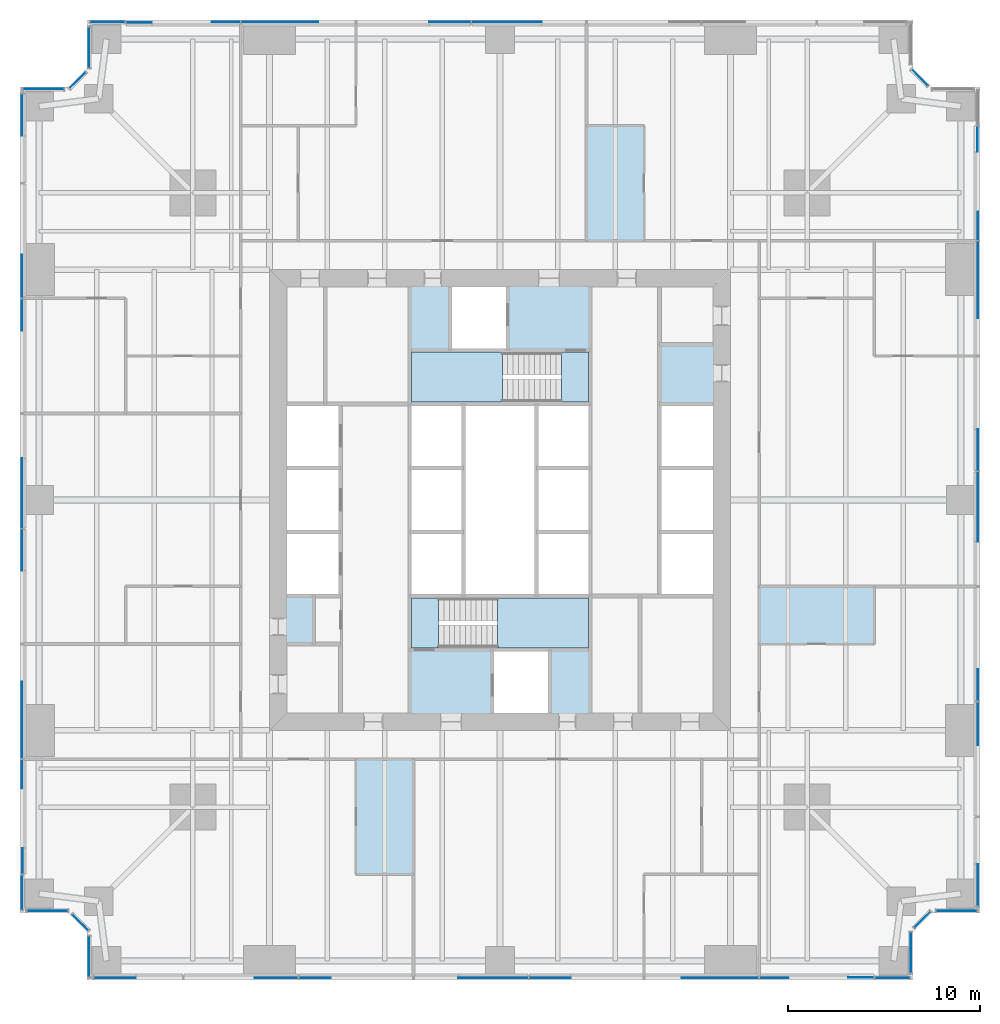
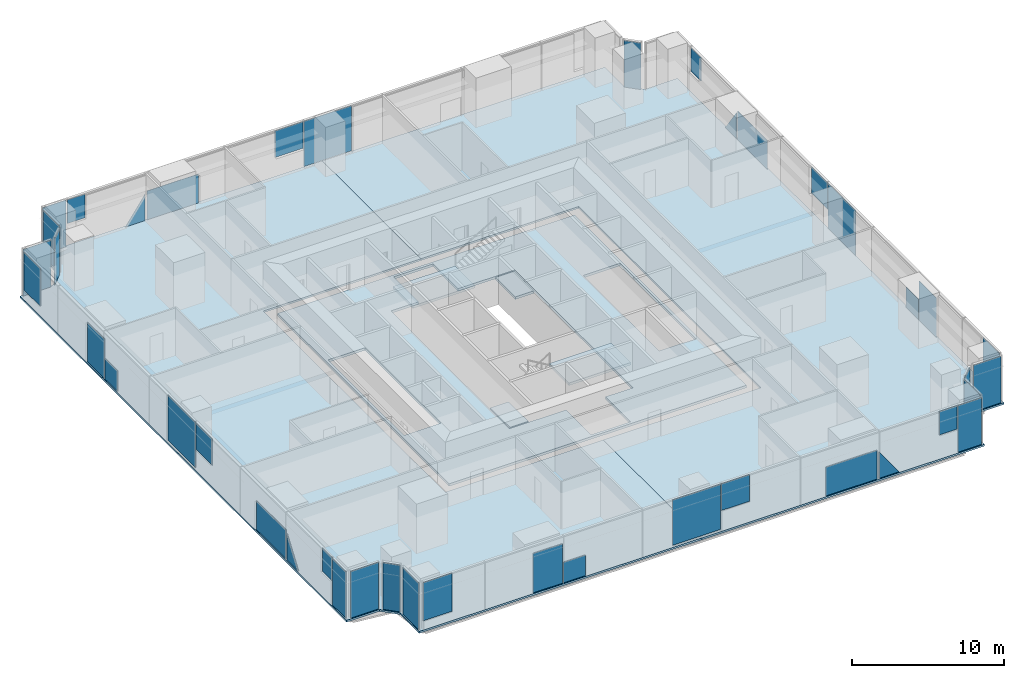
# One storey, part 8 of 13: 42 plates, 7 slabs, 16 elements without a shape of their own.
"""IFC4 building model written with IfcOpenShell, lengths in metres."""

import ifcopenshell
import ifcopenshell.guid

model = None  # the IFC model being written
_history = None  # IfcOwnerHistory: only IFC2X3 demands one
_inside = {}  # id of a spatial element -> (the spatial element, [elements in it])
_under = {}  # id of a project, library or spatial element -> (it, [spatial elements below it])
_declared = {}  # id of a project -> (the project, [libraries it declares])
_typed = {}  # id of a type object -> (the type object, [elements of that type])
_made_of = {}  # id of a material, layer set ... -> (it, [elements and type objects made of it])


def new_model(schema):
    """Start an empty IFC model of exactly this schema.

    Asked for "IFC4X3", IfcOpenShell would pick the latest addendum, in which some entities
    have other attributes; the version numbers below select the first issue.
    IFC2X3 requires an IfcOwnerHistory on every rooted entity: one is made here for all.
    """
    global model, _history
    if schema == "IFC4X3":
        model = ifcopenshell.file(schema_version=(4, 3, 0, 0))
    else:
        model = ifcopenshell.file(schema=schema)
    _inside.clear()
    _under.clear()
    _declared.clear()
    _typed.clear()
    _made_of.clear()
    _history = None
    if model.schema == "IFC2X3":
        org = make("IfcOrganization", Name="unknown")
        user = make(
            "IfcPersonAndOrganization",
            ThePerson=make("IfcPerson", FamilyName="unknown"),
            TheOrganization=org,
        )
        app = make(
            "IfcApplication",
            ApplicationDeveloper=org,
            Version="unknown",
            ApplicationFullName="unknown",
            ApplicationIdentifier="unknown",
        )
        _history = make(
            "IfcOwnerHistory",
            OwningUser=user,
            OwningApplication=app,
            ChangeAction="ADDED",
            CreationDate=0,
        )
    return model


def make(cls, **values):
    """One entity of the class cls with the attributes given. An attribute that is None is left unset."""
    return model.create_entity(
        cls, **{name: value for name, value in values.items() if value is not None}
    )


def rooted(cls, **values):
    """An entity with a GlobalId (a new one), such as an element, a storey or a relation."""
    return make(cls, GlobalId=ifcopenshell.guid.new(), OwnerHistory=_history, **values)


def si_unit(unit_type, name, prefix=None):
    """IfcSIUnit, for example si_unit("LENGTHUNIT", "METRE", prefix="MILLI")."""
    return make("IfcSIUnit", UnitType=unit_type, Prefix=prefix, Name=name)


def assignment(units):
    """IfcUnitAssignment: the units of a project."""
    return None if units is None else make("IfcUnitAssignment", Units=units)


def point(xyz):
    """IfcCartesianPoint."""
    return None if xyz is None else make("IfcCartesianPoint", Coordinates=xyz)


def direction(xyz):
    """IfcDirection."""
    return None if xyz is None else make("IfcDirection", DirectionRatios=xyz)


def frame(location, z_axis=None, x_axis=None):
    """IfcAxis2Placement3D, a coordinate frame: its origin and axes. An axis left out is left unset."""
    return make(
        "IfcAxis2Placement3D",
        Location=point(location),
        Axis=direction(z_axis),
        RefDirection=direction(x_axis),
    )


def frame_2d(location, x_axis=None):
    """IfcAxis2Placement2D, a coordinate frame in the plane: its origin and x axis."""
    return make(
        "IfcAxis2Placement2D", Location=point(location), RefDirection=direction(x_axis)
    )


def origin():
    """The frame at (0, 0, 0) with its axes left unset."""
    return frame((0.0, 0.0, 0.0))


def origin_2d():
    """The frame at (0, 0) in the plane with its x axis left unset."""
    return frame_2d((0.0, 0.0))


def place(relative_to, where):
    """IfcLocalPlacement: puts the frame where relative to a parent placement (None: the world)."""
    return make(
        "IfcLocalPlacement", PlacementRelTo=relative_to, RelativePlacement=where
    )


def context(
    kind, dimensions, precision=None, world=None, true_north=None, identifier=None
):
    """IfcGeometricRepresentationContext, for example the 3D "Model" context."""
    return make(
        "IfcGeometricRepresentationContext",
        ContextIdentifier=identifier,
        ContextType=kind,
        CoordinateSpaceDimension=dimensions,
        Precision=precision,
        WorldCoordinateSystem=world,
        TrueNorth=true_north,
    )


def subcontext(parent, identifier, kind, view, scale=None):
    """IfcGeometricRepresentationSubContext, for example "Body" below "Model"."""
    return make(
        "IfcGeometricRepresentationSubContext",
        ContextIdentifier=identifier,
        ContextType=kind,
        ParentContext=parent,
        TargetScale=scale,
        TargetView=view,
    )


def project(units=None, contexts=None):
    """IfcProject with its units and contexts."""
    return rooted(
        "IfcProject",
        Name="project",
        RepresentationContexts=contexts,
        UnitsInContext=assignment(units),
    )


def spatial(cls, under=None, at=None, **own):
    """A site, building, storey or space (cls), placed at a placement, below another one or the project."""
    s = rooted(cls, ObjectPlacement=at, **own)
    if under is not None:
        _under.setdefault(under.id(), (under, []))[1].append(s)
    return s


def polyline(points):
    """IfcPolyline through the points."""
    return make("IfcPolyline", Points=[point(p) for p in points])


def profile(cls, at=None, kind="AREA", **sizes):
    """A parametric profile (cls). Its sizes go by their IFC names, for example OverallWidth=200.0."""
    return make(cls, ProfileType=kind, Position=at, **sizes)


def rectangle(**sizes):
    """IfcRectangleProfileDef."""
    return profile("IfcRectangleProfileDef", **sizes)


def outline(outer, holes=None, kind="AREA"):
    """IfcArbitraryClosedProfileDef: a profile drawn as a closed curve; with holes, ...WithVoids."""
    if holes is None:
        return make("IfcArbitraryClosedProfileDef", ProfileType=kind, OuterCurve=outer)
    return make(
        "IfcArbitraryProfileDefWithVoids",
        ProfileType=kind,
        OuterCurve=outer,
        InnerCurves=holes,
    )


def extrude(swept, where, along, depth):
    """IfcExtrudedAreaSolid: the profile swept, set in the frame where, extruded along a direction by depth."""
    return make(
        "IfcExtrudedAreaSolid",
        SweptArea=swept,
        Position=where,
        ExtrudedDirection=direction(along),
        Depth=depth,
    )


def shape(context_of_items, identifier, shape_type, items):
    """IfcShapeRepresentation: the items that make up one representation, for example the "Body"."""
    return make(
        "IfcShapeRepresentation",
        ContextOfItems=context_of_items,
        RepresentationIdentifier=identifier,
        RepresentationType=shape_type,
        Items=items,
    )


def material(Name=None, Category=None):
    """IfcMaterial."""
    return make("IfcMaterial", Name=Name, Category=Category)


def layer(
    of_material, thickness, ventilated=None, Name=None, Category=None, Priority=None
):
    """IfcMaterialLayer: one layer of a wall or slab, of a material (None: an air gap)."""
    return make(
        "IfcMaterialLayer",
        Material=of_material,
        LayerThickness=thickness,
        IsVentilated=ventilated,
        Name=Name,
        Category=Category,
        Priority=Priority,
    )


def layer_set(layers, Name=None):
    """IfcMaterialLayerSet."""
    return make("IfcMaterialLayerSet", MaterialLayers=layers, LayerSetName=Name)


def made_of(thing, what):
    """Note that an element or type object is made of a material, layer set ...; save() writes the relation."""
    if what is not None:
        _made_of.setdefault(what.id(), (what, []))[1].append(thing)
    return thing


def type_object(cls, material=None, **own):
    """A type object (cls), such as IfcWallType, which elements share."""
    return made_of(rooted(cls, **own), material)


def element(
    cls,
    number,
    at=None,
    inside=None,
    cuts=None,
    type_object=None,
    material=None,
    context=None,
    identifier="Body",
    shape_type=None,
    held_by="IfcProductDefinitionShape",
    body=None,
    shapes=None,
    **own,
):
    """One element of the class cls, such as IfcWall. Its Tag is "e" and its number.

    at: its placement. inside: the storey or other place that contains it. cuts: it is an
    opening in that element (IfcRelVoidsElement). A single representation is given by context,
    identifier, shape_type and body (its items); several are given by shapes. held_by: the class
    of the entity that holds the representations. save() writes the other relations.
    """
    e = rooted(cls, Tag="e%d" % number, ObjectPlacement=at, **own)
    if body is not None:
        shapes = [shape(context, identifier, shape_type, body)]
    if shapes is not None:
        e.Representation = make(held_by, Representations=shapes)
    if inside is not None:
        _inside.setdefault(inside.id(), (inside, []))[1].append(e)
    if cuts is not None:
        rooted(
            "IfcRelVoidsElement", RelatingBuildingElement=cuts, RelatedOpeningElement=e
        )
    if type_object is not None:
        _typed.setdefault(type_object.id(), (type_object, []))[1].append(e)
    return made_of(e, material)


def aggregate(whole, parts):
    """IfcRelAggregates: a whole, such as a stair, and the parts it consists of."""
    return rooted("IfcRelAggregates", RelatingObject=whole, RelatedObjects=parts)


def save(model, path):
    """Write the relations noted so far, then the file.

    IfcRelAggregates (storeys below a building ...), IfcRelContainedInSpatialStructure (elements
    in a storey), IfcRelDefinesByType, IfcRelAssociatesMaterial and IfcRelDeclares: one each for
    every whole, place, type object, material and project.
    """
    for whole, parts in _under.values():
        aggregate(whole, parts)
    for where, things in _inside.values():
        rooted(
            "IfcRelContainedInSpatialStructure",
            RelatedElements=things,
            RelatingStructure=where,
        )
    for kind, things in _typed.values():
        rooted("IfcRelDefinesByType", RelatedObjects=things, RelatingType=kind)
    for what, things in _made_of.values():
        rooted("IfcRelAssociatesMaterial", RelatedObjects=things, RelatingMaterial=what)
    for by, libraries in _declared.values():
        rooted("IfcRelDeclares", RelatingContext=by, RelatedDefinitions=libraries)
    model.write(path)


model = new_model("IFC4")

# Units and contexts
model_context = context("Model", 3, precision=1e-05, world=origin(), true_north=direction((0.0, 1.0)))
body_context = subcontext(model_context, "Body", "Model", "MODEL_VIEW")
ifc_project = project(units=[si_unit("LENGTHUNIT", "METRE"), si_unit("AREAUNIT", "SQUARE_METRE"), si_unit("VOLUMEUNIT", "CUBIC_METRE"), si_unit("PLANEANGLEUNIT", "RADIAN"), si_unit("MASSUNIT", "GRAM", prefix="KILO")], contexts=[model_context])

# Site, building, storey
site_placement = place(None, origin())
site = spatial("IfcSite", under=ifc_project, at=site_placement, CompositionType="ELEMENT")
building_placement = place(site_placement, origin())
building = spatial("IfcBuilding", under=site, at=building_placement, Name="Fenwick Lantern Interchange", CompositionType="ELEMENT")
storey_placement = place(building_placement, frame((0.0, 0.0, 47.0)))
storey = spatial("IfcBuildingStorey", under=building, at=storey_placement, Name="L10", CompositionType="ELEMENT", Elevation=47.0)

# Slabs
ifc_material_1 = material(Name="Concrete f'c 35 MPa", Category="concrete")
ifc_layer_1 = layer(ifc_material_1, 0.199951171875)
ifc_layer_set_1 = layer_set([ifc_layer_1], Name="CORE FLOOR SLAB 200")
slab_type_1 = type_object("IfcSlabType", Name="CORE FLOOR SLAB 200", PredefinedType="FLOOR", material=ifc_layer_set_1)
slab_1_placement = place(storey_placement, frame((0.0, 0.0, -0.199951171875)))
element("IfcSlab", 1, at=slab_1_placement, inside=storey, type_object=slab_type_1, Name="L10/SLAB/CORE", PredefinedType="FLOOR", context=body_context, shape_type="SweptSolid", body=[
    extrude(outline(polyline([(13.699951171875, 36.300048828125), (36.300048828125, 36.300048828125), (36.300048828125, 13.699951171875), (13.699951171875, 13.699951171875), (13.699951171875, 36.300048828125)]), holes=[polyline([(13.89990234375, 20.0), (16.699951171875, 20.0), (16.699951171875, 23.333251953125), (16.699951171875, 26.666748046875), (16.699951171875, 30.0), (13.89990234375, 30.0), (13.89990234375, 26.666748046875), (13.89990234375, 23.333251953125), (13.89990234375, 20.0)]), polyline([(20.300048828125, 20.0), (20.300048828125, 17.199951171875), (24.60009765625, 17.199951171875), (24.60009765625, 13.89990234375), (27.60009765625, 13.89990234375), (27.60009765625, 17.199951171875), (29.699951171875, 17.199951171875), (29.699951171875, 20.0), (29.699951171875, 23.333251953125), (29.699951171875, 26.666748046875), (29.699951171875, 30.0), (29.699951171875, 32.800048828125), (25.39990234375, 32.800048828125), (25.39990234375, 36.10009765625), (22.39990234375, 36.10009765625), (22.39990234375, 32.800048828125), (20.300048828125, 32.800048828125), (20.300048828125, 30.0), (20.300048828125, 26.666748046875), (20.300048828125, 23.333251953125), (20.300048828125, 20.0)]), polyline([(33.300048828125, 23.333251953125), (33.300048828125, 20.0), (36.10009765625, 20.0), (36.10009765625, 23.333251953125), (36.10009765625, 26.666748046875), (36.10009765625, 30.0), (33.300048828125, 30.0), (33.300048828125, 26.666748046875), (33.300048828125, 23.333251953125)])]), origin(), (0.0, 0.0, 1.0), 0.199951171875),
])
ifc_material_2 = material(Name="Concrete f'c 35 MPa", Category="concrete")
ifc_layer_2 = layer(ifc_material_2, 0.14990234375)
ifc_layer_set_2 = layer_set([ifc_layer_2], Name="Concrete f'c 35 MPa")
slab_type_2 = type_object("IfcSlabType", Name="FLOOR SLAB 150", PredefinedType="FLOOR", material=ifc_layer_set_2)
slab_2_placement = place(storey_placement, frame((0.0, 0.0, -0.14990234375)))
element("IfcSlab", 2, at=slab_2_placement, inside=storey, type_object=slab_type_2, Name="L10/SLAB/FW", PredefinedType="FLOOR", context=body_context, shape_type="SweptSolid", body=[
    extrude(outline(polyline([(3.5, 0.0), (3.5, 2.5), (2.5, 3.5), (0.0, 3.5), (0.0, 46.5), (2.5, 46.5), (3.5, 47.5), (3.5, 50.0), (25.0, 50.0), (25.0, 37.0), (13.0, 37.0), (13.0, 13.0), (25.0, 13.0), (25.0, 0.0), (3.5, 0.0)])), origin(), (0.0, 0.0, 1.0), 0.14990234375),
])
slab_3_placement = place(storey_placement, frame((0.0, 0.0, -0.14990234375)))
element("IfcSlab", 3, at=slab_3_placement, inside=storey, type_object=slab_type_2, Name="L10/SLAB/FE", PredefinedType="FLOOR", context=body_context, shape_type="SweptSolid", body=[
    extrude(outline(polyline([(46.5, 50.0), (46.5, 47.5), (47.5, 46.5), (50.0, 46.5), (50.0, 3.5), (47.5, 3.5), (46.5, 2.5), (46.5, 0.0), (25.0, 0.0), (25.0, 13.0), (37.0, 13.0), (37.0, 37.0), (25.0, 37.0), (25.0, 50.0), (46.5, 50.0)])), origin(), (0.0, 0.0, 1.0), 0.14990234375),
])

# Curtain wall, plates
ifc_material_3 = material(Name="Aluminium curtain wall frame", Category="aluminium")
curtain_wall_type = type_object("IfcCurtainWallType", Name="OFFICE CURTAIN WALL", PredefinedType="USERDEFINED", material=ifc_material_3)
curtain_wall_1_placement = place(storey_placement, origin())
curtain_wall_1 = element("IfcCurtainWall", 4, at=curtain_wall_1_placement, inside=storey, type_object=curtain_wall_type, Name="Office curtain wall 01", ObjectType="OFFICE CURTAIN WALL", PredefinedType="USERDEFINED")
ifc_material_4 = material(Name="Vision glass, clear low-iron double glazed", Category="glass")
ifc_layer_3 = layer(ifc_material_4, 0.031982421875)
ifc_layer_set_3 = layer_set([ifc_layer_3], Name="OFFICE CURTAIN WALL PANEL 32")
plate_type = type_object("IfcPlateType", Name="OFFICE CURTAIN WALL PANEL 32", PredefinedType="CURTAIN_PANEL", material=ifc_layer_set_3)
plate_1_placement = place(storey_placement, frame((3.60009765625, 0.10009765625, 0.68212890625), z_axis=(0.0, 0.0, 1.0), x_axis=(1.0, 0.0, 0.0)))
plate_1 = element("IfcPlate", 5, at=plate_1_placement, type_object=plate_type, Name="L10/CW/01/P00a", PredefinedType="CURTAIN_PANEL", context=body_context, shape_type="SweptSolid", body=[
    extrude(outline(polyline([(0.264892578125, 0.0), (2.43994140625, 0.0), (2.43994140625, 3.06787109375), (0.264892578125, 3.06787109375), (0.264892578125, 0.0)])), frame((0.0, 0.01611328125, 0.0), z_axis=(0.0, -1.0, 0.0), x_axis=(1.0, 0.0, 0.0)), (0.0, 0.0, 1.0), 0.031982421875),
])
plate_2_placement = place(storey_placement, frame((3.60009765625, 0.10009765625, 0.0), z_axis=(0.0, 0.0, 1.0), x_axis=(1.0, 0.0, 0.0)))
plate_2 = element("IfcPlate", 6, at=plate_2_placement, type_object=plate_type, Name="L10/CW/01/P01a", PredefinedType="CURTAIN_PANEL", context=body_context, shape_type="SweptSolid", body=[
    extrude(outline(polyline([(8.618408203125, 0.0), (10.867431640625, 0.0), (10.867431640625, 3.176513671875), (8.618408203125, 3.176513671875), (8.618408203125, 0.0)])), frame((0.0, 0.01611328125, 0.0), z_axis=(0.0, -1.0, 0.0), x_axis=(1.0, 0.0, 0.0)), (0.0, 0.0, 1.0), 0.031982421875),
])
plate_3_placement = place(storey_placement, frame((3.60009765625, 0.10009765625, 0.0), z_axis=(0.0, 0.0, 1.0), x_axis=(1.0, 0.0, 0.0)))
plate_3 = element("IfcPlate", 7, at=plate_3_placement, type_object=plate_type, Name="L10/CW/01/P02a", PredefinedType="CURTAIN_PANEL", context=body_context, shape_type="SweptSolid", body=[
    extrude(outline(polyline([(10.9326171875, 0.0), (12.592529296875, 0.0), (12.592529296875, 1.656005859375), (10.9326171875, 1.656005859375), (10.9326171875, 0.0)])), frame((0.0, 0.01611328125, 0.0), z_axis=(0.0, -1.0, 0.0), x_axis=(1.0, 0.0, 0.0)), (0.0, 0.0, 1.0), 0.031982421875),
])
plate_4_placement = place(storey_placement, frame((3.60009765625, 0.10009765625, 0.112060546875), z_axis=(0.0, 0.0, 1.0), x_axis=(1.0, 0.0, 0.0)))
plate_4 = element("IfcPlate", 8, at=plate_4_placement, type_object=plate_type, Name="L10/CW/01/P03a", PredefinedType="CURTAIN_PANEL", context=body_context, shape_type="SweptSolid", body=[
    extrude(outline(polyline([(19.2275390625, 0.0), (22.867431640625, 0.0), (22.867431640625, 3.637939453125), (19.2275390625, 3.637939453125), (19.2275390625, 0.0)])), frame((0.0, 0.01611328125, 0.0), z_axis=(0.0, -1.0, 0.0), x_axis=(1.0, 0.0, 0.0)), (0.0, 0.0, 1.0), 0.031982421875),
])
plate_5_placement = place(storey_placement, frame((3.60009765625, 0.10009765625, 1.612060546875), z_axis=(0.0, 0.0, 1.0), x_axis=(1.0, 0.0, 0.0)))
plate_5 = element("IfcPlate", 9, at=plate_5_placement, type_object=plate_type, Name="L10/CW/01/P04a", PredefinedType="CURTAIN_PANEL", context=body_context, shape_type="SweptSolid", body=[
    extrude(outline(polyline([(22.9326171875, 0.0), (25.072509765625, 0.0), (25.072509765625, 2.137939453125), (22.9326171875, 2.137939453125), (22.9326171875, 0.0)])), frame((0.0, 0.01611328125, 0.0), z_axis=(0.0, -1.0, 0.0), x_axis=(1.0, 0.0, 0.0)), (0.0, 0.0, 1.0), 0.031982421875),
])
plate_6_placement = place(storey_placement, frame((3.60009765625, 0.10009765625, 0.0), z_axis=(0.0, 0.0, 1.0), x_axis=(1.0, 0.0, 0.0)))
plate_6 = element("IfcPlate", 10, at=plate_6_placement, type_object=plate_type, Name="L10/CW/01/P05a", PredefinedType="CURTAIN_PANEL", context=body_context, shape_type="SweptSolid", body=[
    extrude(outline(polyline([(30.87255859375, 0.0), (34.78759765625, 0.0), (34.78759765625, 2.32080078125), (30.87255859375, 2.32080078125), (30.87255859375, 0.0)])), frame((0.0, 0.01611328125, 0.0), z_axis=(0.0, -1.0, 0.0), x_axis=(1.0, 0.0, 0.0)), (0.0, 0.0, 1.0), 0.031982421875),
])
plate_7_placement = place(storey_placement, frame((3.60009765625, 0.10009765625, 0.0), z_axis=(0.0, 0.0, 1.0), x_axis=(1.0, 0.0, 0.0)))
plate_7 = element("IfcPlate", 11, at=plate_7_placement, type_object=plate_type, Name="L10/CW/01/P06a", PredefinedType="CURTAIN_PANEL", context=body_context, shape_type="SweptSolid", body=[
    extrude(outline(polyline([(34.9326171875, 0.0), (36.431640625, 0.0), (34.9326171875, 2.116455078125), (34.9326171875, 0.0)])), frame((0.0, 0.01611328125, 0.0), z_axis=(0.0, -1.0, 0.0), x_axis=(1.0, 0.0, 0.0)), (0.0, 0.0, 1.0), 0.031982421875),
])
plate_8_placement = place(storey_placement, frame((3.60009765625, 0.10009765625, 1.858154296875), z_axis=(0.0, 0.0, 1.0), x_axis=(1.0, 0.0, 0.0)))
plate_8 = element("IfcPlate", 12, at=plate_8_placement, type_object=plate_type, Name="L10/CW/01/P06b", PredefinedType="CURTAIN_PANEL", context=body_context, shape_type="SweptSolid", body=[
    extrude(outline(polyline([(39.527099609375, 0.0), (40.867431640625, 0.0), (40.867431640625, 1.891845703125), (39.527099609375, 1.891845703125), (39.527099609375, 0.0)])), frame((0.0, 0.0498046875, 0.0), z_axis=(0.0, -1.0, 0.0), x_axis=(1.0, 0.0, 0.0)), (0.0, 0.0, 1.0), 0.031982421875),
])
plate_9_placement = place(storey_placement, frame((45.433837890625, 0.10009765625, 0.0), z_axis=(0.0, 0.0, 1.0), x_axis=(1.0, 0.0, 0.0)))
plate_9 = element("IfcPlate", 13, at=plate_9_placement, type_object=plate_type, Name="L10/CW/01/P07", PredefinedType="CURTAIN_PANEL", context=body_context, shape_type="SweptSolid", body=[
    extrude(rectangle(XDim=1.802490234375, YDim=0.031982421875, at=origin_2d()), origin(), (0.0, 0.0, 1.0), 3.75),
])
aggregate(curtain_wall_1, [plate_1, plate_2, plate_3, plate_4, plate_5, plate_6, plate_7, plate_8, plate_9])

# Curtain wall, plate
curtain_wall_2_placement = place(storey_placement, origin())
curtain_wall_2 = element("IfcCurtainWall", 14, at=curtain_wall_2_placement, inside=storey, type_object=curtain_wall_type, Name="Office curtain wall 02", ObjectType="OFFICE CURTAIN WALL", PredefinedType="USERDEFINED")
plate_10_placement = place(storey_placement, frame((46.39990234375, 1.420654296875, 0.0), z_axis=(0.0, 0.0, 1.0), x_axis=(0.0, 1.0, 0.0)))
plate_10 = element("IfcPlate", 15, at=plate_10_placement, type_object=plate_type, Name="L10/CW/02/P00", PredefinedType="CURTAIN_PANEL", context=body_context, shape_type="SweptSolid", body=[
    extrude(rectangle(XDim=2.111328125, YDim=0.031982421875, at=origin_2d()), origin(), (0.0, 0.0, 1.0), 3.75),
])
aggregate(curtain_wall_2, [plate_10])

curtain_wall_3_placement = place(storey_placement, origin())
curtain_wall_3 = element("IfcCurtainWall", 16, at=curtain_wall_3_placement, inside=storey, type_object=curtain_wall_type, Name="Office curtain wall 03", ObjectType="OFFICE CURTAIN WALL", PredefinedType="USERDEFINED")
plate_11_placement = place(storey_placement, frame((47.0, 3.141357421875, 0.0), z_axis=(0.0, 0.0, 1.0), x_axis=(0.707106781187, 0.707106781187, 0.0)))
plate_11 = element("IfcPlate", 17, at=plate_11_placement, type_object=plate_type, Name="L10/CW/03/P00", PredefinedType="CURTAIN_PANEL", context=body_context, shape_type="SweptSolid", body=[
    extrude(rectangle(XDim=1.1669921875, YDim=0.031982421875, at=origin_2d()), origin(), (0.0, 0.0, 1.0), 3.75),
])
aggregate(curtain_wall_3, [plate_11])

curtain_wall_4_placement = place(storey_placement, origin())
curtain_wall_4 = element("IfcCurtainWall", 18, at=curtain_wall_4_placement, inside=storey, type_object=curtain_wall_type, Name="Office curtain wall 04", ObjectType="OFFICE CURTAIN WALL", PredefinedType="USERDEFINED")
plate_12_placement = place(storey_placement, frame((48.779296875, 3.60009765625, 0.0), z_axis=(0.0, 0.0, 1.0), x_axis=(1.0, 0.0, 0.0)))
plate_12 = element("IfcPlate", 19, at=plate_12_placement, type_object=plate_type, Name="L10/CW/04/P00", PredefinedType="CURTAIN_PANEL", context=body_context, shape_type="SweptSolid", body=[
    extrude(rectangle(XDim=2.111328125, YDim=0.031982421875, at=origin_2d()), origin(), (0.0, 0.0, 1.0), 3.75),
])
aggregate(curtain_wall_4, [plate_12])

# Curtain wall, plates
curtain_wall_5_placement = place(storey_placement, origin())
curtain_wall_5 = element("IfcCurtainWall", 20, at=curtain_wall_5_placement, inside=storey, type_object=curtain_wall_type, Name="Office curtain wall 05", ObjectType="OFFICE CURTAIN WALL", PredefinedType="USERDEFINED")
plate_13_placement = place(storey_placement, frame((49.89990234375, 3.60009765625, 0.68212890625), z_axis=(0.0, 0.0, 1.0), x_axis=(0.0, 1.0, 0.0)))
plate_13 = element("IfcPlate", 21, at=plate_13_placement, type_object=plate_type, Name="L10/CW/05/P00a", PredefinedType="CURTAIN_PANEL", context=body_context, shape_type="SweptSolid", body=[
    extrude(outline(polyline([(0.264892578125, 0.0), (2.43994140625, 0.0), (2.43994140625, 3.06787109375), (0.264892578125, 3.06787109375), (0.264892578125, 0.0)])), frame((0.0, 0.01611328125, 0.0), z_axis=(0.0, -1.0, 0.0), x_axis=(1.0, 0.0, 0.0)), (0.0, 0.0, 1.0), 0.031982421875),
])
plate_14_placement = place(storey_placement, frame((49.89990234375, 3.60009765625, 0.0), z_axis=(0.0, 0.0, 1.0), x_axis=(0.0, 1.0, 0.0)))
plate_14 = element("IfcPlate", 22, at=plate_14_placement, type_object=plate_type, Name="L10/CW/05/P01a", PredefinedType="CURTAIN_PANEL", context=body_context, shape_type="SweptSolid", body=[
    extrude(outline(polyline([(8.618408203125, 0.0), (10.867431640625, 0.0), (10.867431640625, 3.176513671875), (8.618408203125, 3.176513671875), (8.618408203125, 0.0)])), frame((0.0, 0.01611328125, 0.0), z_axis=(0.0, -1.0, 0.0), x_axis=(1.0, 0.0, 0.0)), (0.0, 0.0, 1.0), 0.031982421875),
])
plate_15_placement = place(storey_placement, frame((49.89990234375, 3.60009765625, 0.0), z_axis=(0.0, 0.0, 1.0), x_axis=(0.0, 1.0, 0.0)))
plate_15 = element("IfcPlate", 23, at=plate_15_placement, type_object=plate_type, Name="L10/CW/05/P02a", PredefinedType="CURTAIN_PANEL", context=body_context, shape_type="SweptSolid", body=[
    extrude(outline(polyline([(10.9326171875, 0.0), (12.592529296875, 0.0), (12.592529296875, 1.656005859375), (10.9326171875, 1.656005859375), (10.9326171875, 0.0)])), frame((0.0, 0.01611328125, 0.0), z_axis=(0.0, -1.0, 0.0), x_axis=(1.0, 0.0, 0.0)), (0.0, 0.0, 1.0), 0.031982421875),
])
plate_16_placement = place(storey_placement, frame((49.89990234375, 3.60009765625, 0.112060546875), z_axis=(0.0, 0.0, 1.0), x_axis=(0.0, 1.0, 0.0)))
plate_16 = element("IfcPlate", 24, at=plate_16_placement, type_object=plate_type, Name="L10/CW/05/P03a", PredefinedType="CURTAIN_PANEL", context=body_context, shape_type="SweptSolid", body=[
    extrude(outline(polyline([(19.2275390625, 0.0), (22.867431640625, 0.0), (22.867431640625, 3.637939453125), (19.2275390625, 3.637939453125), (19.2275390625, 0.0)])), frame((0.0, 0.01611328125, 0.0), z_axis=(0.0, -1.0, 0.0), x_axis=(1.0, 0.0, 0.0)), (0.0, 0.0, 1.0), 0.031982421875),
])
plate_17_placement = place(storey_placement, frame((49.89990234375, 3.60009765625, 1.612060546875), z_axis=(0.0, 0.0, 1.0), x_axis=(0.0, 1.0, 0.0)))
plate_17 = element("IfcPlate", 25, at=plate_17_placement, type_object=plate_type, Name="L10/CW/05/P04a", PredefinedType="CURTAIN_PANEL", context=body_context, shape_type="SweptSolid", body=[
    extrude(outline(polyline([(22.9326171875, 0.0), (25.072509765625, 0.0), (25.072509765625, 2.137939453125), (22.9326171875, 2.137939453125), (22.9326171875, 0.0)])), frame((0.0, 0.01611328125, 0.0), z_axis=(0.0, -1.0, 0.0), x_axis=(1.0, 0.0, 0.0)), (0.0, 0.0, 1.0), 0.031982421875),
])
plate_18_placement = place(storey_placement, frame((49.89990234375, 3.60009765625, 0.0), z_axis=(0.0, 0.0, 1.0), x_axis=(0.0, 1.0, 0.0)))
plate_18 = element("IfcPlate", 26, at=plate_18_placement, type_object=plate_type, Name="L10/CW/05/P05a", PredefinedType="CURTAIN_PANEL", context=body_context, shape_type="SweptSolid", body=[
    extrude(outline(polyline([(30.87255859375, 0.0), (34.78759765625, 0.0), (34.78759765625, 2.32080078125), (30.87255859375, 2.32080078125), (30.87255859375, 0.0)])), frame((0.0, 0.01611328125, 0.0), z_axis=(0.0, -1.0, 0.0), x_axis=(1.0, 0.0, 0.0)), (0.0, 0.0, 1.0), 0.031982421875),
])
plate_19_placement = place(storey_placement, frame((49.89990234375, 3.60009765625, 0.0), z_axis=(0.0, 0.0, 1.0), x_axis=(0.0, 1.0, 0.0)))
plate_19 = element("IfcPlate", 27, at=plate_19_placement, type_object=plate_type, Name="L10/CW/05/P06a", PredefinedType="CURTAIN_PANEL", context=body_context, shape_type="SweptSolid", body=[
    extrude(outline(polyline([(34.9326171875, 0.0), (36.431640625, 0.0), (34.9326171875, 2.116455078125), (34.9326171875, 0.0)])), frame((0.0, 0.01611328125, 0.0), z_axis=(0.0, -1.0, 0.0), x_axis=(1.0, 0.0, 0.0)), (0.0, 0.0, 1.0), 0.031982421875),
])
plate_20_placement = place(storey_placement, frame((49.89990234375, 3.60009765625, 1.858154296875), z_axis=(0.0, 0.0, 1.0), x_axis=(0.0, 1.0, 0.0)))
plate_20 = element("IfcPlate", 28, at=plate_20_placement, type_object=plate_type, Name="L10/CW/05/P06b", PredefinedType="CURTAIN_PANEL", context=body_context, shape_type="SweptSolid", body=[
    extrude(outline(polyline([(39.527099609375, 0.0), (40.867431640625, 0.0), (40.867431640625, 1.891845703125), (39.527099609375, 1.891845703125), (39.527099609375, 0.0)])), frame((0.0, 0.0498046875, 0.0), z_axis=(0.0, -1.0, 0.0), x_axis=(1.0, 0.0, 0.0)), (0.0, 0.0, 1.0), 0.031982421875),
])
aggregate(curtain_wall_5, [plate_13, plate_14, plate_15, plate_16, plate_17, plate_18, plate_19, plate_20])

# Curtain wall, plate
curtain_wall_6_placement = place(storey_placement, origin())
curtain_wall_6 = element("IfcCurtainWall", 29, at=curtain_wall_6_placement, inside=storey, type_object=curtain_wall_type, Name="Office curtain wall 07", ObjectType="OFFICE CURTAIN WALL", PredefinedType="USERDEFINED")
plate_21_placement = place(storey_placement, frame((46.858642578125, 47.0, 0.0), z_axis=(0.0, 0.0, 1.0), x_axis=(-0.707106781187, 0.707106781187, 0.0)))
plate_21 = element("IfcPlate", 30, at=plate_21_placement, type_object=plate_type, Name="L10/CW/07/P00", PredefinedType="CURTAIN_PANEL", context=body_context, shape_type="SweptSolid", body=[
    extrude(rectangle(XDim=1.1669921875, YDim=0.031982421875, at=origin_2d()), origin(), (0.0, 0.0, 1.0), 3.75),
])
aggregate(curtain_wall_6, [plate_21])

# Curtain wall, plates
curtain_wall_7_placement = place(storey_placement, origin())
curtain_wall_7 = element("IfcCurtainWall", 31, at=curtain_wall_7_placement, inside=storey, type_object=curtain_wall_type, Name="Office curtain wall 09", ObjectType="OFFICE CURTAIN WALL", PredefinedType="USERDEFINED")
plate_22_placement = place(storey_placement, frame((46.39990234375, 49.89990234375, 0.112060546875), z_axis=(0.0, 0.0, 1.0), x_axis=(-1.0, 0.0, 0.0)))
plate_22 = element("IfcPlate", 32, at=plate_22_placement, type_object=plate_type, Name="L10/CW/09/P03a", PredefinedType="CURTAIN_PANEL", context=body_context, shape_type="SweptSolid", body=[
    extrude(outline(polyline([(19.2275390625, 0.0), (22.867431640625, 0.0), (22.867431640625, 3.637939453125), (19.2275390625, 3.637939453125), (19.2275390625, 0.0)])), frame((0.0, 0.01611328125, 0.0), z_axis=(0.0, -1.0, 0.0), x_axis=(1.0, 0.0, 0.0)), (0.0, 0.0, 1.0), 0.031982421875),
])
plate_23_placement = place(storey_placement, frame((46.39990234375, 49.89990234375, 1.612060546875), z_axis=(0.0, 0.0, 1.0), x_axis=(-1.0, 0.0, 0.0)))
plate_23 = element("IfcPlate", 33, at=plate_23_placement, type_object=plate_type, Name="L10/CW/09/P04a", PredefinedType="CURTAIN_PANEL", context=body_context, shape_type="SweptSolid", body=[
    extrude(outline(polyline([(22.9326171875, 0.0), (25.072509765625, 0.0), (25.072509765625, 2.137939453125), (22.9326171875, 2.137939453125), (22.9326171875, 0.0)])), frame((0.0, 0.01611328125, 0.0), z_axis=(0.0, -1.0, 0.0), x_axis=(1.0, 0.0, 0.0)), (0.0, 0.0, 1.0), 0.031982421875),
])
plate_24_placement = place(storey_placement, frame((46.39990234375, 49.89990234375, 0.0), z_axis=(0.0, 0.0, 1.0), x_axis=(-1.0, 0.0, 0.0)))
plate_24 = element("IfcPlate", 34, at=plate_24_placement, type_object=plate_type, Name="L10/CW/09/P05a", PredefinedType="CURTAIN_PANEL", context=body_context, shape_type="SweptSolid", body=[
    extrude(outline(polyline([(30.87255859375, 0.0), (34.78759765625, 0.0), (34.78759765625, 2.32080078125), (30.87255859375, 2.32080078125), (30.87255859375, 0.0)])), frame((0.0, 0.01611328125, 0.0), z_axis=(0.0, -1.0, 0.0), x_axis=(1.0, 0.0, 0.0)), (0.0, 0.0, 1.0), 0.031982421875),
])
plate_25_placement = place(storey_placement, frame((46.39990234375, 49.89990234375, 0.0), z_axis=(0.0, 0.0, 1.0), x_axis=(-1.0, 0.0, 0.0)))
plate_25 = element("IfcPlate", 35, at=plate_25_placement, type_object=plate_type, Name="L10/CW/09/P06a", PredefinedType="CURTAIN_PANEL", context=body_context, shape_type="SweptSolid", body=[
    extrude(outline(polyline([(34.9326171875, 0.0), (36.431640625, 0.0), (34.9326171875, 2.116455078125), (34.9326171875, 0.0)])), frame((0.0, 0.01611328125, 0.0), z_axis=(0.0, -1.0, 0.0), x_axis=(1.0, 0.0, 0.0)), (0.0, 0.0, 1.0), 0.031982421875),
])
plate_26_placement = place(storey_placement, frame((46.39990234375, 49.89990234375, 1.858154296875), z_axis=(0.0, 0.0, 1.0), x_axis=(-1.0, 0.0, 0.0)))
plate_26 = element("IfcPlate", 36, at=plate_26_placement, type_object=plate_type, Name="L10/CW/09/P06b", PredefinedType="CURTAIN_PANEL", context=body_context, shape_type="SweptSolid", body=[
    extrude(outline(polyline([(39.527099609375, 0.0), (40.867431640625, 0.0), (40.867431640625, 1.891845703125), (39.527099609375, 1.891845703125), (39.527099609375, 0.0)])), frame((0.0, 0.0498046875, 0.0), z_axis=(0.0, -1.0, 0.0), x_axis=(1.0, 0.0, 0.0)), (0.0, 0.0, 1.0), 0.031982421875),
])
plate_27_placement = place(storey_placement, frame((4.566162109375, 49.89990234375, 0.0), z_axis=(0.0, 0.0, 1.0), x_axis=(-1.0, 0.0, 0.0)))
plate_27 = element("IfcPlate", 37, at=plate_27_placement, type_object=plate_type, Name="L10/CW/09/P07", PredefinedType="CURTAIN_PANEL", context=body_context, shape_type="SweptSolid", body=[
    extrude(rectangle(XDim=1.802490234375, YDim=0.031982421875, at=origin_2d()), origin(), (0.0, 0.0, 1.0), 3.75),
])
aggregate(curtain_wall_7, [plate_22, plate_23, plate_24, plate_25, plate_26, plate_27])

# Curtain wall, plate
curtain_wall_8_placement = place(storey_placement, origin())
curtain_wall_8 = element("IfcCurtainWall", 38, at=curtain_wall_8_placement, inside=storey, type_object=curtain_wall_type, Name="Office curtain wall 10", ObjectType="OFFICE CURTAIN WALL", PredefinedType="USERDEFINED")
plate_28_placement = place(storey_placement, frame((3.60009765625, 48.579345703125, 0.0), z_axis=(0.0, 0.0, 1.0), x_axis=(0.0, -1.0, 0.0)))
plate_28 = element("IfcPlate", 39, at=plate_28_placement, type_object=plate_type, Name="L10/CW/10/P00", PredefinedType="CURTAIN_PANEL", context=body_context, shape_type="SweptSolid", body=[
    extrude(rectangle(XDim=2.111328125, YDim=0.031982421875, at=origin_2d()), origin(), (0.0, 0.0, 1.0), 3.75),
])
aggregate(curtain_wall_8, [plate_28])

curtain_wall_9_placement = place(storey_placement, origin())
curtain_wall_9 = element("IfcCurtainWall", 40, at=curtain_wall_9_placement, inside=storey, type_object=curtain_wall_type, Name="Office curtain wall 11", ObjectType="OFFICE CURTAIN WALL", PredefinedType="USERDEFINED")
plate_29_placement = place(storey_placement, frame((3.0, 46.858642578125, 0.0), z_axis=(0.0, 0.0, 1.0), x_axis=(-0.707106781187, -0.707106781187, 0.0)))
plate_29 = element("IfcPlate", 41, at=plate_29_placement, type_object=plate_type, Name="L10/CW/11/P00", PredefinedType="CURTAIN_PANEL", context=body_context, shape_type="SweptSolid", body=[
    extrude(rectangle(XDim=1.1669921875, YDim=0.031982421875, at=origin_2d()), origin(), (0.0, 0.0, 1.0), 3.75),
])
aggregate(curtain_wall_9, [plate_29])

curtain_wall_10_placement = place(storey_placement, origin())
curtain_wall_10 = element("IfcCurtainWall", 42, at=curtain_wall_10_placement, inside=storey, type_object=curtain_wall_type, Name="Office curtain wall 12", ObjectType="OFFICE CURTAIN WALL", PredefinedType="USERDEFINED")
plate_30_placement = place(storey_placement, frame((1.220703125, 46.39990234375, 0.0), z_axis=(0.0, 0.0, 1.0), x_axis=(-1.0, 0.0, 0.0)))
plate_30 = element("IfcPlate", 43, at=plate_30_placement, type_object=plate_type, Name="L10/CW/12/P00", PredefinedType="CURTAIN_PANEL", context=body_context, shape_type="SweptSolid", body=[
    extrude(rectangle(XDim=2.111328125, YDim=0.031982421875, at=origin_2d()), origin(), (0.0, 0.0, 1.0), 3.75),
])
aggregate(curtain_wall_10, [plate_30])

# Curtain wall, plates
curtain_wall_11_placement = place(storey_placement, origin())
curtain_wall_11 = element("IfcCurtainWall", 44, at=curtain_wall_11_placement, inside=storey, type_object=curtain_wall_type, Name="Office curtain wall 13", ObjectType="OFFICE CURTAIN WALL", PredefinedType="USERDEFINED")
plate_31_placement = place(storey_placement, frame((0.10009765625, 46.39990234375, 0.68212890625), z_axis=(0.0, 0.0, 1.0), x_axis=(0.0, -1.0, 0.0)))
plate_31 = element("IfcPlate", 45, at=plate_31_placement, type_object=plate_type, Name="L10/CW/13/P00a", PredefinedType="CURTAIN_PANEL", context=body_context, shape_type="SweptSolid", body=[
    extrude(outline(polyline([(0.264892578125, 0.0), (2.43994140625, 0.0), (2.43994140625, 3.06787109375), (0.264892578125, 3.06787109375), (0.264892578125, 0.0)])), frame((0.0, 0.01611328125, 0.0), z_axis=(0.0, -1.0, 0.0), x_axis=(1.0, 0.0, 0.0)), (0.0, 0.0, 1.0), 0.031982421875),
])
plate_32_placement = place(storey_placement, frame((0.10009765625, 46.39990234375, 0.0), z_axis=(0.0, 0.0, 1.0), x_axis=(0.0, -1.0, 0.0)))
plate_32 = element("IfcPlate", 46, at=plate_32_placement, type_object=plate_type, Name="L10/CW/13/P01a", PredefinedType="CURTAIN_PANEL", context=body_context, shape_type="SweptSolid", body=[
    extrude(outline(polyline([(8.618408203125, 0.0), (10.867431640625, 0.0), (10.867431640625, 3.176513671875), (8.618408203125, 3.176513671875), (8.618408203125, 0.0)])), frame((0.0, 0.01611328125, 0.0), z_axis=(0.0, -1.0, 0.0), x_axis=(1.0, 0.0, 0.0)), (0.0, 0.0, 1.0), 0.031982421875),
])
plate_33_placement = place(storey_placement, frame((0.10009765625, 46.39990234375, 0.0), z_axis=(0.0, 0.0, 1.0), x_axis=(0.0, -1.0, 0.0)))
plate_33 = element("IfcPlate", 47, at=plate_33_placement, type_object=plate_type, Name="L10/CW/13/P02a", PredefinedType="CURTAIN_PANEL", context=body_context, shape_type="SweptSolid", body=[
    extrude(outline(polyline([(10.9326171875, 0.0), (12.592529296875, 0.0), (12.592529296875, 1.656005859375), (10.9326171875, 1.656005859375), (10.9326171875, 0.0)])), frame((0.0, 0.01611328125, 0.0), z_axis=(0.0, -1.0, 0.0), x_axis=(1.0, 0.0, 0.0)), (0.0, 0.0, 1.0), 0.031982421875),
])
plate_34_placement = place(storey_placement, frame((0.10009765625, 46.39990234375, 0.112060546875), z_axis=(0.0, 0.0, 1.0), x_axis=(0.0, -1.0, 0.0)))
plate_34 = element("IfcPlate", 48, at=plate_34_placement, type_object=plate_type, Name="L10/CW/13/P03a", PredefinedType="CURTAIN_PANEL", context=body_context, shape_type="SweptSolid", body=[
    extrude(outline(polyline([(19.2275390625, 0.0), (22.867431640625, 0.0), (22.867431640625, 3.637939453125), (19.2275390625, 3.637939453125), (19.2275390625, 0.0)])), frame((0.0, 0.01611328125, 0.0), z_axis=(0.0, -1.0, 0.0), x_axis=(1.0, 0.0, 0.0)), (0.0, 0.0, 1.0), 0.031982421875),
])
plate_35_placement = place(storey_placement, frame((0.10009765625, 46.39990234375, 1.612060546875), z_axis=(0.0, 0.0, 1.0), x_axis=(0.0, -1.0, 0.0)))
plate_35 = element("IfcPlate", 49, at=plate_35_placement, type_object=plate_type, Name="L10/CW/13/P04a", PredefinedType="CURTAIN_PANEL", context=body_context, shape_type="SweptSolid", body=[
    extrude(outline(polyline([(22.9326171875, 0.0), (25.072509765625, 0.0), (25.072509765625, 2.137939453125), (22.9326171875, 2.137939453125), (22.9326171875, 0.0)])), frame((0.0, 0.01611328125, 0.0), z_axis=(0.0, -1.0, 0.0), x_axis=(1.0, 0.0, 0.0)), (0.0, 0.0, 1.0), 0.031982421875),
])
plate_36_placement = place(storey_placement, frame((0.10009765625, 46.39990234375, 0.0), z_axis=(0.0, 0.0, 1.0), x_axis=(0.0, -1.0, 0.0)))
plate_36 = element("IfcPlate", 50, at=plate_36_placement, type_object=plate_type, Name="L10/CW/13/P05a", PredefinedType="CURTAIN_PANEL", context=body_context, shape_type="SweptSolid", body=[
    extrude(outline(polyline([(30.87255859375, 0.0), (34.78759765625, 0.0), (34.78759765625, 2.32080078125), (30.87255859375, 2.32080078125), (30.87255859375, 0.0)])), frame((0.0, 0.01611328125, 0.0), z_axis=(0.0, -1.0, 0.0), x_axis=(1.0, 0.0, 0.0)), (0.0, 0.0, 1.0), 0.031982421875),
])
plate_37_placement = place(storey_placement, frame((0.10009765625, 46.39990234375, 0.0), z_axis=(0.0, 0.0, 1.0), x_axis=(0.0, -1.0, 0.0)))
plate_37 = element("IfcPlate", 51, at=plate_37_placement, type_object=plate_type, Name="L10/CW/13/P06a", PredefinedType="CURTAIN_PANEL", context=body_context, shape_type="SweptSolid", body=[
    extrude(outline(polyline([(34.9326171875, 0.0), (36.431640625, 0.0), (34.9326171875, 2.116455078125), (34.9326171875, 0.0)])), frame((0.0, 0.01611328125, 0.0), z_axis=(0.0, -1.0, 0.0), x_axis=(1.0, 0.0, 0.0)), (0.0, 0.0, 1.0), 0.031982421875),
])
plate_38_placement = place(storey_placement, frame((0.10009765625, 46.39990234375, 1.858154296875), z_axis=(0.0, 0.0, 1.0), x_axis=(0.0, -1.0, 0.0)))
plate_38 = element("IfcPlate", 52, at=plate_38_placement, type_object=plate_type, Name="L10/CW/13/P06b", PredefinedType="CURTAIN_PANEL", context=body_context, shape_type="SweptSolid", body=[
    extrude(outline(polyline([(39.527099609375, 0.0), (40.867431640625, 0.0), (40.867431640625, 1.891845703125), (39.527099609375, 1.891845703125), (39.527099609375, 0.0)])), frame((0.0, 0.0498046875, 0.0), z_axis=(0.0, -1.0, 0.0), x_axis=(1.0, 0.0, 0.0)), (0.0, 0.0, 1.0), 0.031982421875),
])
plate_39_placement = place(storey_placement, frame((0.10009765625, 4.566162109375, 0.0), z_axis=(0.0, 0.0, 1.0), x_axis=(0.0, -1.0, 0.0)))
plate_39 = element("IfcPlate", 53, at=plate_39_placement, type_object=plate_type, Name="L10/CW/13/P07", PredefinedType="CURTAIN_PANEL", context=body_context, shape_type="SweptSolid", body=[
    extrude(rectangle(XDim=1.802490234375, YDim=0.031982421875, at=origin_2d()), origin(), (0.0, 0.0, 1.0), 3.75),
])
aggregate(curtain_wall_11, [plate_31, plate_32, plate_33, plate_34, plate_35, plate_36, plate_37, plate_38, plate_39])

# Curtain wall, plate
curtain_wall_12_placement = place(storey_placement, origin())
curtain_wall_12 = element("IfcCurtainWall", 54, at=curtain_wall_12_placement, inside=storey, type_object=curtain_wall_type, Name="Office curtain wall 14", ObjectType="OFFICE CURTAIN WALL", PredefinedType="USERDEFINED")
plate_40_placement = place(storey_placement, frame((1.420654296875, 3.60009765625, 0.0), z_axis=(0.0, 0.0, 1.0), x_axis=(1.0, 0.0, 0.0)))
plate_40 = element("IfcPlate", 55, at=plate_40_placement, type_object=plate_type, Name="L10/CW/14/P00", PredefinedType="CURTAIN_PANEL", context=body_context, shape_type="SweptSolid", body=[
    extrude(rectangle(XDim=2.111328125, YDim=0.031982421875, at=origin_2d()), origin(), (0.0, 0.0, 1.0), 3.75),
])
aggregate(curtain_wall_12, [plate_40])

curtain_wall_13_placement = place(storey_placement, origin())
curtain_wall_13 = element("IfcCurtainWall", 56, at=curtain_wall_13_placement, inside=storey, type_object=curtain_wall_type, Name="Office curtain wall 15", ObjectType="OFFICE CURTAIN WALL", PredefinedType="USERDEFINED")
plate_41_placement = place(storey_placement, frame((3.141357421875, 3.0, 0.0), z_axis=(0.0, 0.0, 1.0), x_axis=(0.707106781187, -0.707106781187, 0.0)))
plate_41 = element("IfcPlate", 57, at=plate_41_placement, type_object=plate_type, Name="L10/CW/15/P00", PredefinedType="CURTAIN_PANEL", context=body_context, shape_type="SweptSolid", body=[
    extrude(rectangle(XDim=1.1669921875, YDim=0.031982421875, at=origin_2d()), origin(), (0.0, 0.0, 1.0), 3.75),
])
aggregate(curtain_wall_13, [plate_41])

curtain_wall_14_placement = place(storey_placement, origin())
curtain_wall_14 = element("IfcCurtainWall", 58, at=curtain_wall_14_placement, inside=storey, type_object=curtain_wall_type, Name="Office curtain wall 16", ObjectType="OFFICE CURTAIN WALL", PredefinedType="USERDEFINED")
plate_42_placement = place(storey_placement, frame((3.60009765625, 1.220703125, 0.0), z_axis=(0.0, 0.0, 1.0), x_axis=(0.0, -1.0, 0.0)))
plate_42 = element("IfcPlate", 59, at=plate_42_placement, type_object=plate_type, Name="L10/CW/16/P00", PredefinedType="CURTAIN_PANEL", context=body_context, shape_type="SweptSolid", body=[
    extrude(rectangle(XDim=2.111328125, YDim=0.031982421875, at=origin_2d()), origin(), (0.0, 0.0, 1.0), 3.75),
])
aggregate(curtain_wall_14, [plate_42])

# Stair, slabs
ifc_material_5 = material(Name="Precast concrete f'c 35 MPa", Category="concrete")
stair_type = type_object("IfcStairType", Name="EXIT STAIR 1200", PredefinedType="HALF_TURN_STAIR", material=ifc_material_5)
stair_1_placement = place(storey_placement, origin())
stair_1 = element("IfcStair", 60, at=stair_1_placement, inside=storey, type_object=stair_type, Name="Exit stair ST1", PredefinedType="HALF_TURN_STAIR")
ifc_layer_4 = layer(ifc_material_1, 0.199951171875)
ifc_layer_set_4 = layer_set([ifc_layer_4], Name="STAIR LANDING 200")
slab_type_3 = type_object("IfcSlabType", Name="STAIR LANDING 200", PredefinedType="LANDING", material=ifc_layer_set_4)
slab_4_placement = place(storey_placement, frame((0.0, 0.0, 1.800048828125)))
slab_4 = element("IfcSlab", 61, at=slab_4_placement, type_object=slab_type_3, Name="ST1 landing 1", PredefinedType="LANDING", context=body_context, shape_type="SweptSolid", body=[
    extrude(outline(polyline([(24.8798828125, 17.300048828125), (29.60009765625, 17.300048828125), (29.60009765625, 19.89990234375), (24.8798828125, 19.89990234375), (24.8798828125, 17.300048828125)])), origin(), (0.0, 0.0, 1.0), 0.199951171875),
])
slab_5_placement = place(storey_placement, frame((0.0, 0.0, -0.199951171875)))
slab_5 = element("IfcSlab", 62, at=slab_5_placement, type_object=slab_type_3, Name="ST1 landing 2", PredefinedType="LANDING", context=body_context, shape_type="SweptSolid", body=[
    extrude(outline(polyline([(20.39990234375, 17.300048828125), (21.800048828125, 17.300048828125), (21.800048828125, 19.89990234375), (20.39990234375, 19.89990234375), (20.39990234375, 17.300048828125)])), origin(), (0.0, 0.0, 1.0), 0.199951171875),
])
aggregate(stair_1, [slab_4, slab_5])

stair_2_placement = place(storey_placement, origin())
stair_2 = element("IfcStair", 63, at=stair_2_placement, inside=storey, type_object=stair_type, Name="Exit stair ST2", PredefinedType="HALF_TURN_STAIR")
slab_6_placement = place(storey_placement, frame((0.0, 0.0, 1.800048828125)))
slab_6 = element("IfcSlab", 64, at=slab_6_placement, type_object=slab_type_3, Name="ST2 landing 1", PredefinedType="LANDING", context=body_context, shape_type="SweptSolid", body=[
    extrude(outline(polyline([(25.1201171875, 32.699951171875), (20.39990234375, 32.699951171875), (20.39990234375, 30.10009765625), (25.1201171875, 30.10009765625), (25.1201171875, 32.699951171875)])), origin(), (0.0, 0.0, 1.0), 0.199951171875),
])
slab_7_placement = place(storey_placement, frame((0.0, 0.0, -0.199951171875)))
slab_7 = element("IfcSlab", 65, at=slab_7_placement, type_object=slab_type_3, Name="ST2 landing 2", PredefinedType="LANDING", context=body_context, shape_type="SweptSolid", body=[
    extrude(outline(polyline([(29.60009765625, 32.699951171875), (28.199951171875, 32.699951171875), (28.199951171875, 30.10009765625), (29.60009765625, 30.10009765625), (29.60009765625, 32.699951171875)])), origin(), (0.0, 0.0, 1.0), 0.199951171875),
])
aggregate(stair_2, [slab_6, slab_7])

save(model, "model.ifc")
